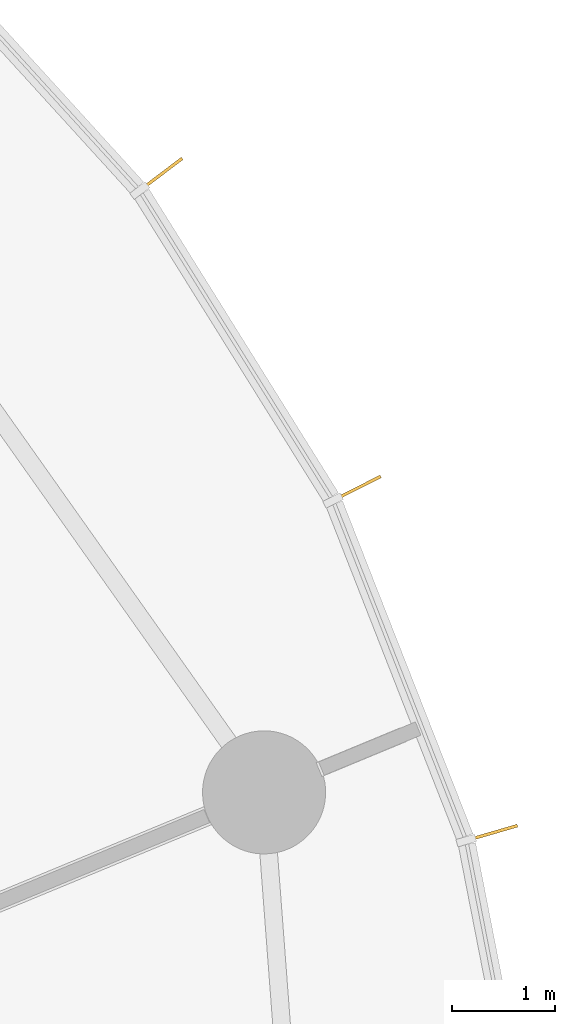
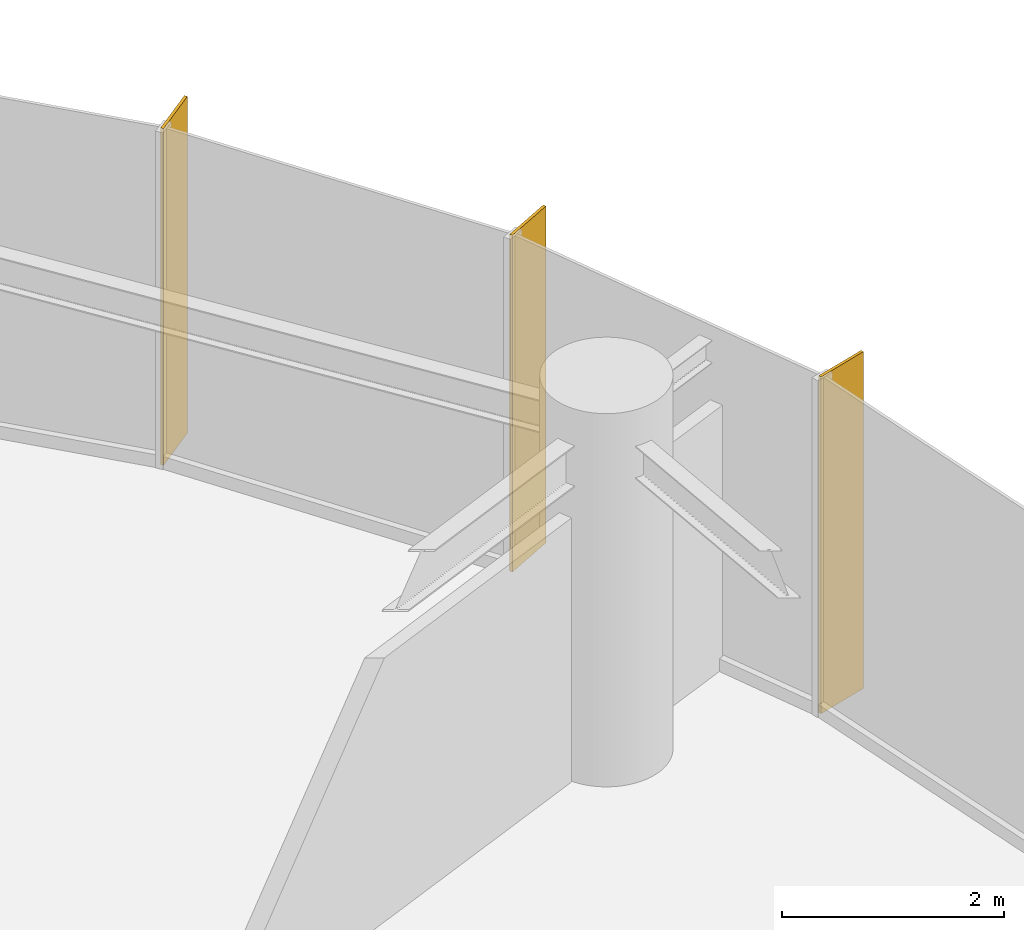
# One storey, part 17 of 17: 3 shading devices.
"""IFC4 building model written with IfcOpenShell, lengths in metres."""

from ifc_helpers import new_model, si_unit, direction, frame, origin, origin_2d, place, context, subcontext, project, spatial, rectangle, extrude, source, transform, mapped, material, material_profile, profile_set, type_object, element, save


model = new_model("IFC4")

# Units and contexts
model_context = context("Model", 3, precision=1e-05, world=origin(), true_north=direction((0.0, 1.0)))
body_context = subcontext(model_context, "Body", "Model", "MODEL_VIEW")
ifc_project = project(units=[si_unit("LENGTHUNIT", "METRE"), si_unit("AREAUNIT", "SQUARE_METRE"), si_unit("VOLUMEUNIT", "CUBIC_METRE"), si_unit("PLANEANGLEUNIT", "RADIAN"), si_unit("MASSUNIT", "GRAM", prefix="KILO")], contexts=[model_context])

# Site, building, storey
site_placement = place(None, origin())
site = spatial("IfcSite", under=ifc_project, at=site_placement, CompositionType="ELEMENT")
building_placement = place(site_placement, origin())
building = spatial("IfcBuilding", under=site, at=building_placement, Name="Spindrift Exchange Tower", CompositionType="ELEMENT")
storey_placement = place(building_placement, frame((0.0, 0.0, 108.5)))
storey = spatial("IfcBuildingStorey", under=building, at=storey_placement, Name="L25", CompositionType="ELEMENT", Elevation=108.5)

# Shading devices
ifc_material = material(Name="Bronze anodised aluminium", Category="aluminium")
ifc_material_profile = material_profile(ifc_material, rectangle(XDim=0.030029296875, YDim=0.550048828125, at=origin_2d()), Name="WIND FIN 30X550")
ifc_profile_set = profile_set([ifc_material_profile], Name="Bronze anodised aluminium")
shading_device_type = type_object("IfcShadingDeviceType", Name="WIND FIN 30X550", PredefinedType="USERDEFINED", material=ifc_profile_set)
shared_shape = source(origin(), body_context, "Body", "SweptSolid", [
    extrude(rectangle(XDim=0.030029296875, YDim=0.550048828125, at=origin_2d()), origin(), (0.0, 0.0, 1.0), 3.699951171875),
])
for number, where, z_axis, x_axis, name in (
    (1, (81.3466796875, 62.744384765625, 0.0), (0.0, 0.0, 1.0), (-0.448949423337, 0.893557169568, 0.0), "L25 wind fin 2"),
    (2, (79.4375, 65.804931640625, 0.0), (0.0, 0.0, 1.0), (-0.60364917416, 0.797250070264, 0.0), "L25 wind fin 3"),
    (3, (82.662841796875, 59.385498046875, 0.0), (0.0, 0.0, 1.0), (-0.279314563736, 0.96019965345, 0.0), "L25 wind fin 4"),
):
    element("IfcShadingDevice", number, at=place(storey_placement, frame(where, z_axis=z_axis, x_axis=x_axis)), inside=storey, type_object=shading_device_type, Name=name, ObjectType="FIN", PredefinedType="USERDEFINED", context=body_context, shape_type="MappedRepresentation", body=[
        mapped(shared_shape, transform((0.0, 0.0, 0.0), scale=1.0)),
    ])

save(model, "model.ifc")
